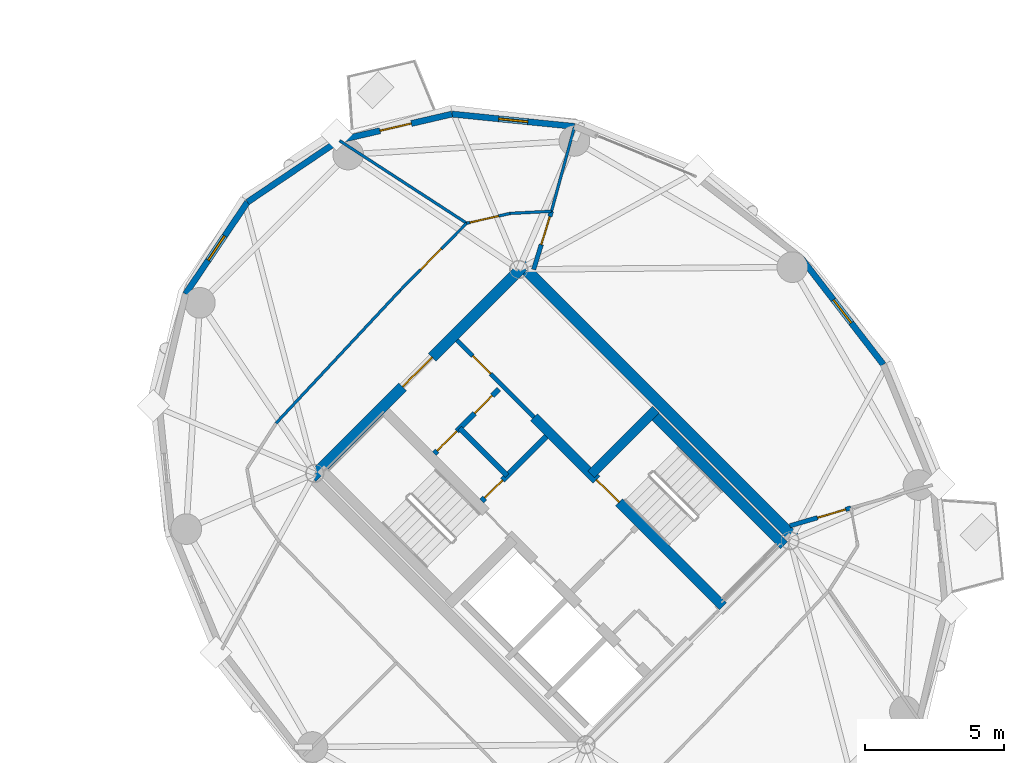
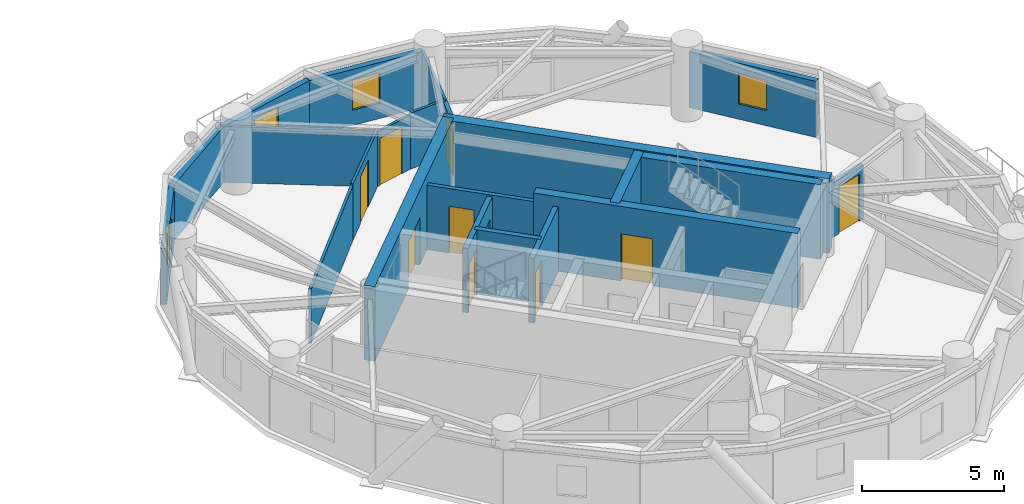
# One storey, part 11 of 15: 22 walls, 11 doors, 3 windows, 14 openings.
"""IFC4 building model written with IfcOpenShell, lengths in metres."""

from ifc_helpers import new_model, si_unit, direction, frame, frame_2d, origin, place, context, subcontext, project, spatial, rectangle, extrude, source, transform, mapped, material, layer, layer_set, type_object, element, fill, save


model = new_model("IFC4")

# Units and contexts
model_context = context("Model", 3, precision=1e-05, world=origin(), true_north=direction((0.0, 1.0)))
body_context = subcontext(model_context, "Body", "Model", "MODEL_VIEW")
ifc_project = project(units=[si_unit("LENGTHUNIT", "METRE"), si_unit("AREAUNIT", "SQUARE_METRE"), si_unit("VOLUMEUNIT", "CUBIC_METRE"), si_unit("PLANEANGLEUNIT", "RADIAN"), si_unit("MASSUNIT", "GRAM", prefix="KILO")], contexts=[model_context])

# Site, building, storey
site_placement = place(None, origin())
site = spatial("IfcSite", under=ifc_project, at=site_placement, CompositionType="ELEMENT")
building_placement = place(site_placement, origin())
building = spatial("IfcBuilding", under=site, at=building_placement, Name="Cununo Teusaquillo Station Towers", CompositionType="ELEMENT")
storey_placement = place(building_placement, frame((0.0, 0.0, 232.449951171875)))
storey = spatial("IfcBuildingStorey", under=building, at=storey_placement, Name="L74", CompositionType="ELEMENT", Elevation=232.449951171875)

# Wall, opening, door
ifc_material_1 = material(Name="Concrete C50/60", Category="concrete")
ifc_layer_1 = layer(ifc_material_1, 0.35009765625)
ifc_layer_set_1 = layer_set([ifc_layer_1], Name="Concrete C50/60")
wall_type_1 = type_object("IfcWallType", Name="WL-CORE-350", PredefinedType="SHEAR", material=ifc_layer_set_1)
wall_1_placement = place(storey_placement, frame((63.627197265625, 20.939697265625, 0.0), z_axis=(0.0, 0.0, 1.0), x_axis=(-0.707119496762, 0.707094065383, 0.0)))
wall_1 = element("IfcWall", 1, at=wall_1_placement, inside=storey, type_object=wall_type_1, Name="L74 Tower B Core Shear Wall IE", PredefinedType="SHEAR", context=body_context, shape_type="SweptSolid", body=[
    extrude(rectangle(XDim=9.60009765625, YDim=0.35009765625, at=frame_2d((4.800048828125, 0.0))), origin(), (0.0, 0.0, 1.0), 3.199951171875),
])
shared_shape_1 = source(origin(), body_context, "Body", "SweptSolid", [
    extrude(rectangle(XDim=1.14990234375, YDim=2.02001953125, at=frame_2d((0.574951171875, 1.010009765625))), frame((0.0, 0.18505859375, 0.0), z_axis=(0.0, -1.0, 0.0), x_axis=(1.0, 0.0, 0.0)), (0.0, 0.0, 1.0), 0.3701171875),
])
opening_1_placement = place(wall_1_placement, frame((5.280029296875, 0.0, 0.0)))
opening_1 = element("IfcOpeningElement", 2, at=opening_1_placement, cuts=wall_1, Name="Opening D-ST1", PredefinedType="OPENING", context=body_context, shape_type="MappedRepresentation", body=[
    mapped(shared_shape_1, transform((0.0, 0.0, 0.0), x_axis=(1.0, 0.0, 0.0), y_axis=(0.0, 1.0, 0.0), z_axis=(0.0, 0.0, 1.0), scale=1.0)),
])
ifc_material_2 = material(Name="Galvanised fire-rated hollow steel door assembly", Category="steel")
door_type_1 = type_object("IfcDoorType", Name="DR-STAIR-1150", OperationType="NOTDEFINED", PredefinedType="DOOR", material=ifc_material_2)
shared_shape_2 = source(origin(), body_context, "Body", "SweptSolid", [
    extrude(rectangle(XDim=1.14990234375, YDim=2.02001953125, at=frame_2d((0.574951171875, 1.010009765625))), frame((0.0, 0.02490234375, 0.0), z_axis=(0.0, -1.0, 0.0), x_axis=(1.0, 0.0, 0.0)), (0.0, 0.0, 1.0), 0.050048828125),
])
door_1_placement = place(opening_1_placement, origin())
door_1 = element("IfcDoor", 3, at=door_1_placement, inside=storey, type_object=door_type_1, Name="L74 Tower B Exit Stair 2 Fire Door", OperationType="SINGLE_SWING_LEFT", OverallHeight=2.02001953125, OverallWidth=1.14990234375, PredefinedType="DOOR", context=body_context, shape_type="MappedRepresentation", body=[
    mapped(shared_shape_2, transform((0.0, 0.0, 0.0), x_axis=(1.0, 0.0, 0.0), y_axis=(0.0, 1.0, 0.0), z_axis=(0.0, 0.0, 1.0), scale=1.0)),
])
fill(opening_1, door_1)

# Walls
wall_2_placement = place(storey_placement, frame((65.81201171875, 23.124755859375, 0.0), z_axis=(0.0, 0.0, 1.0), x_axis=(-0.707106781187, 0.707106781187, 0.0)))
element("IfcWall", 4, at=wall_2_placement, inside=storey, type_object=wall_type_1, Name="L74 Tower B Core Shear Wall ST2E", PredefinedType="SHEAR", context=body_context, shape_type="SweptSolid", body=[
    extrude(rectangle(XDim=6.695068359375, YDim=0.35009765625, at=frame_2d((3.34765625, 0.0))), origin(), (0.0, 0.0, 1.0), 3.199951171875),
])
wall_3_placement = place(storey_placement, frame((58.89306640625, 25.673828125, 0.0), z_axis=(0.0, 0.0, 1.0), x_axis=(0.707106781187, 0.707106781187, 0.0)))
element("IfcWall", 5, at=wall_3_placement, inside=storey, type_object=wall_type_1, Name="L74 Tower B Core Shear Wall ST2N", PredefinedType="SHEAR", context=body_context, shape_type="SweptSolid", body=[
    extrude(rectangle(XDim=3.284912109375, YDim=0.35009765625, at=frame_2d((1.642578125, 0.0))), origin(), (0.0, 0.0, 1.0), 3.199951171875),
])
ifc_material_3 = material(Name="Concrete C50/60", Category="concrete")
ifc_layer_2 = layer(ifc_material_3, 0.39990234375)
ifc_layer_set_2 = layer_set([ifc_layer_2], Name="Concrete C50/60")
wall_type_2 = type_object("IfcWallType", Name="WL-CORE-400", PredefinedType="SHEAR", material=ifc_layer_set_2)
wall_4_placement = place(storey_placement, frame((66.26806640625, 23.2978515625, 0.0), z_axis=(0.0, 0.0, 1.0), x_axis=(-0.707106781187, 0.707106781187, 0.0)))
element("IfcWall", 6, at=wall_4_placement, inside=storey, type_object=wall_type_2, Name="L74 Tower B Core Shear Wall E", PredefinedType="SHEAR", context=body_context, shape_type="SweptSolid", body=[
    extrude(rectangle(XDim=14.10009765625, YDim=0.39990234375, at=frame_2d((7.050048828125, 0.0))), origin(), (0.0, 0.0, 1.0), 3.199951171875),
])

# Wall, opening, door
wall_5_placement = place(storey_placement, frame((48.873291015625, 25.560791015625, 0.0), z_axis=(0.0, 0.0, 1.0), x_axis=(0.707106781187, 0.707106781187, 0.0)))
wall_5 = element("IfcWall", 7, at=wall_5_placement, inside=storey, type_object=wall_type_2, Name="L74 Tower B Core Shear Wall N", PredefinedType="SHEAR", context=body_context, shape_type="SweptSolid", body=[
    extrude(rectangle(XDim=10.69970703125, YDim=0.39990234375, at=frame_2d((5.349853515625, 0.0))), origin(), (0.0, 0.0, 1.0), 3.199951171875),
])
shared_shape_3 = source(origin(), body_context, "Body", "SweptSolid", [
    extrude(rectangle(XDim=1.5, YDim=2.02001953125, at=frame_2d((0.75, 1.010009765625))), frame((0.0, 0.2099609375, 0.0), z_axis=(0.0, -1.0, 0.0), x_axis=(1.0, 0.0, 0.0)), (0.0, 0.0, 1.0), 0.419921875),
])
opening_2_placement = place(wall_5_placement, frame((4.60009765625, 0.0, 0.0)))
opening_2 = element("IfcOpeningElement", 8, at=opening_2_placement, cuts=wall_5, Name="Opening D-LB1", PredefinedType="OPENING", context=body_context, shape_type="MappedRepresentation", body=[
    mapped(shared_shape_3, transform((0.0, 0.0, 0.0), x_axis=(1.0, 0.0, 0.0), y_axis=(0.0, 1.0, 0.0), z_axis=(0.0, 0.0, 1.0), scale=1.0)),
])
ifc_material_4 = material(Name="Galvanised fire-rated hollow steel door assembly", Category="steel")
door_type_2 = type_object("IfcDoorType", Name="DR-LOBBY-1500", OperationType="DOUBLE_DOOR_SINGLE_SWING", PredefinedType="DOOR", material=ifc_material_4)
shared_shape_4 = source(origin(), body_context, "Body", "SweptSolid", [
    extrude(rectangle(XDim=1.5, YDim=2.02001953125, at=frame_2d((0.75, 1.010009765625))), frame((0.0, 0.02490234375, 0.0), z_axis=(0.0, -1.0, 0.0), x_axis=(1.0, 0.0, 0.0)), (0.0, 0.0, 1.0), 0.050048828125),
])
door_2_placement = place(opening_2_placement, origin())
door_2 = element("IfcDoor", 9, at=door_2_placement, inside=storey, type_object=door_type_2, Name="L74 Tower B North Core Lift Lobby Door", OperationType="DOUBLE_DOOR_SINGLE_SWING", OverallHeight=2.02001953125, OverallWidth=1.5, PredefinedType="DOOR", context=body_context, shape_type="MappedRepresentation", body=[
    mapped(shared_shape_4, transform((0.0, 0.0, 0.0), x_axis=(1.0, 0.0, 0.0), y_axis=(0.0, 1.0, 0.0), z_axis=(0.0, 0.0, 1.0), scale=1.0)),
])
fill(opening_2, door_2)

# Wall, opening, window
ifc_material_5 = material(Name="Precast concrete C40/50", Category="concrete")
ifc_layer_3 = layer(ifc_material_5, 0.219970703125)
ifc_layer_set_3 = layer_set([ifc_layer_3], Name="Precast concrete C40/50")
wall_type_3 = type_object("IfcWallType", Name="WL-EXT-220", PredefinedType="SOLIDWALL", material=ifc_layer_set_3)
wall_6_placement = place(storey_placement, frame((53.899658203125, 38.59912109375, 0.0), z_axis=(0.0, 0.0, 1.0), x_axis=(0.994929930991, -0.100570534541, 0.0)))
wall_6 = element("IfcWall", 10, at=wall_6_placement, inside=storey, type_object=wall_type_3, Name="L74 Tower B Exterior Facade Wall C02", PredefinedType="SOLIDWALL", context=body_context, shape_type="SweptSolid", body=[
    extrude(rectangle(XDim=4.418212890625, YDim=0.219970703125, at=frame_2d((2.208984375, 0.0))), origin(), (0.0, 0.0, 1.0), 2.402099609375),
])
shared_shape_5 = source(origin(), body_context, "Body", "SweptSolid", [
    extrude(rectangle(XDim=1.050048828125, YDim=1.300048828125, at=frame_2d((0.52490234375, 0.64990234375))), frame((0.0, 0.119873046875, 0.0), z_axis=(0.0, -1.0, 0.0), x_axis=(1.0, 0.0, 0.0)), (0.0, 0.0, 1.0), 0.239990234375),
])
opening_3_placement = place(wall_6_placement, frame((1.68408203125, 0.0, 0.64990234375)))
opening_3 = element("IfcOpeningElement", 11, at=opening_3_placement, cuts=wall_6, Name="Opening WN-04", PredefinedType="OPENING", context=body_context, shape_type="MappedRepresentation", body=[
    mapped(shared_shape_5, transform((0.0, 0.0, 0.0), x_axis=(1.0, 0.0, 0.0), y_axis=(0.0, 1.0, 0.0), z_axis=(0.0, 0.0, 1.0), scale=1.0)),
])
ifc_material_6 = material(Name="Operable acoustic tinted low-E double glazing", Category="glass")
window_type = type_object("IfcWindowType", Name="WIN-BAL-1050", PartitioningType="SINGLE_PANEL", PredefinedType="WINDOW", material=ifc_material_6)
shared_shape_6 = source(origin(), body_context, "Body", "SweptSolid", [
    extrude(rectangle(XDim=1.050048828125, YDim=1.300048828125, at=frame_2d((0.52490234375, 0.64990234375))), frame((0.0, 0.030029296875, 0.0), z_axis=(0.0, -1.0, 0.0), x_axis=(1.0, 0.0, 0.0)), (0.0, 0.0, 1.0), 0.06005859375),
])
window_1_placement = place(opening_3_placement, origin())
window_1 = element("IfcWindow", 12, at=window_1_placement, inside=storey, type_object=window_type, Name="L74 Tower B Facade Window C02", OverallHeight=1.300048828125, OverallWidth=1.050048828125, PartitioningType="SINGLE_PANEL", PredefinedType="WINDOW", context=body_context, shape_type="MappedRepresentation", body=[
    mapped(shared_shape_6, transform((0.0, 0.0, 0.0), x_axis=(1.0, 0.0, 0.0), y_axis=(0.0, 1.0, 0.0), z_axis=(0.0, 0.0, 1.0), scale=1.0)),
])
fill(opening_3, window_1)

# Wall, opening, door
wall_7_placement = place(storey_placement, frame((49.856201171875, 37.663330078125, 0.0), z_axis=(0.0, 0.0, 1.0), x_axis=(0.974249228678, 0.225473813158, 0.0)))
wall_7 = element("IfcWall", 13, at=wall_7_placement, inside=storey, type_object=wall_type_3, Name="L74 Tower B Exterior Facade Wall C03", PredefinedType="SOLIDWALL", context=body_context, shape_type="SweptSolid", body=[
    extrude(rectangle(XDim=4.150390625, YDim=0.219970703125, at=frame_2d((2.0751953125, 0.0))), origin(), (0.0, 0.0, 1.0), 2.402099609375),
])
shared_shape_7 = source(origin(), body_context, "Body", "SweptSolid", [
    extrude(rectangle(XDim=1.14990234375, YDim=2.0048828125, at=frame_2d((0.574951171875, 1.00244140625))), frame((0.0, 0.119873046875, 0.0), z_axis=(0.0, -1.0, 0.0), x_axis=(1.0, 0.0, 0.0)), (0.0, 0.0, 1.0), 0.239990234375),
])
opening_4_placement = place(wall_7_placement, frame((1.5, 0.0, 0.0)))
opening_4 = element("IfcOpeningElement", 14, at=opening_4_placement, cuts=wall_7, Name="Opening ED-03", PredefinedType="OPENING", context=body_context, shape_type="MappedRepresentation", body=[
    mapped(shared_shape_7, transform((0.0, 0.0, 0.0), x_axis=(1.0, 0.0, 0.0), y_axis=(0.0, 1.0, 0.0), z_axis=(0.0, 0.0, 1.0), scale=1.0)),
])
ifc_material_7 = material(Name="Anodised dark bronze aluminium EN AW-6063-T6", Category="aluminium")
door_type_3 = type_object("IfcDoorType", Name="DR-EXT-BAL", OperationType="NOTDEFINED", PredefinedType="DOOR", material=ifc_material_7)
shared_shape_8 = source(origin(), body_context, "Body", "SweptSolid", [
    extrude(rectangle(XDim=1.14990234375, YDim=2.0048828125, at=frame_2d((0.574951171875, 1.00244140625))), frame((0.0, 0.02490234375, 0.0), z_axis=(0.0, -1.0, 0.0), x_axis=(1.0, 0.0, 0.0)), (0.0, 0.0, 1.0), 0.050048828125),
])
door_3_placement = place(opening_4_placement, origin())
door_3 = element("IfcDoor", 15, at=door_3_placement, inside=storey, type_object=door_type_3, Name="L74 Tower B Tree Balcony Door C03", OperationType="SINGLE_SWING_LEFT", OverallHeight=2.0048828125, OverallWidth=1.14990234375, PredefinedType="DOOR", context=body_context, shape_type="MappedRepresentation", body=[
    mapped(shared_shape_8, transform((0.0, 0.0, 0.0), x_axis=(1.0, 0.0, 0.0), y_axis=(0.0, 1.0, 0.0), z_axis=(0.0, 0.0, 1.0), scale=1.0)),
])
fill(opening_4, door_3)

# Wall
wall_8_placement = place(storey_placement, frame((46.56103515625, 35.43896484375, 0.0), z_axis=(0.0, 0.0, 1.0), x_axis=(0.828833723692, 0.559495003079, 0.0)))
element("IfcWall", 16, at=wall_8_placement, inside=storey, type_object=wall_type_3, Name="L74 Tower B Exterior Facade Wall C04", PredefinedType="SOLIDWALL", context=body_context, shape_type="SweptSolid", body=[
    extrude(rectangle(XDim=3.9755859375, YDim=0.219970703125, at=frame_2d((1.98779296875, 0.0))), origin(), (0.0, 0.0, 1.0), 2.402099609375),
])

# Wall, opening, window
wall_9_placement = place(storey_placement, frame((44.336669921875, 32.143798828125, 0.0), z_axis=(0.0, 0.0, 1.0), x_axis=(0.559495003079, 0.828833723692, 0.0)))
wall_9 = element("IfcWall", 17, at=wall_9_placement, inside=storey, type_object=wall_type_3, Name="L74 Tower B Exterior Facade Wall C05", PredefinedType="SOLIDWALL", context=body_context, shape_type="SweptSolid", body=[
    extrude(rectangle(XDim=3.9755859375, YDim=0.219970703125, at=frame_2d((1.98779296875, 0.0))), origin(), (0.0, 0.0, 1.0), 2.402099609375),
])
opening_5_placement = place(wall_9_placement, frame((1.462890625, 0.0, 0.64990234375)))
opening_5 = element("IfcOpeningElement", 18, at=opening_5_placement, cuts=wall_9, Name="Opening WN-04", PredefinedType="OPENING", context=body_context, shape_type="MappedRepresentation", body=[
    mapped(shared_shape_5, transform((0.0, 0.0, 0.0), x_axis=(1.0, 0.0, 0.0), y_axis=(0.0, 1.0, 0.0), z_axis=(0.0, 0.0, 1.0), scale=1.0)),
])
window_2_placement = place(opening_5_placement, origin())
window_2 = element("IfcWindow", 19, at=window_2_placement, inside=storey, type_object=window_type, Name="L74 Tower B Facade Window C05", OverallHeight=1.300048828125, OverallWidth=1.050048828125, PartitioningType="SINGLE_PANEL", PredefinedType="WINDOW", context=body_context, shape_type="MappedRepresentation", body=[
    mapped(shared_shape_6, transform((0.0, 0.0, 0.0), x_axis=(1.0, 0.0, 0.0), y_axis=(0.0, 1.0, 0.0), z_axis=(0.0, 0.0, 1.0), scale=1.0)),
])
fill(opening_5, window_2)

wall_10_placement = place(storey_placement, frame((66.430908203125, 33.430908203125, 0.0), z_axis=(0.0, 0.0, 1.0), x_axis=(0.610523083886, -0.791998462147, 0.0)))
wall_10 = element("IfcWall", 20, at=wall_10_placement, inside=storey, type_object=wall_type_3, Name="L74 Tower B Exterior Facade Wall C19", PredefinedType="SOLIDWALL", context=body_context, shape_type="SweptSolid", body=[
    extrude(rectangle(XDim=4.8203125, YDim=0.219970703125, at=frame_2d((2.41015625, 0.0))), origin(), (0.0, 0.0, 1.0), 2.402099609375),
])
opening_6_placement = place(wall_10_placement, frame((1.885009765625, 0.0, 0.64990234375)))
opening_6 = element("IfcOpeningElement", 21, at=opening_6_placement, cuts=wall_10, Name="Opening WN-04", PredefinedType="OPENING", context=body_context, shape_type="MappedRepresentation", body=[
    mapped(shared_shape_5, transform((0.0, 0.0, 0.0), x_axis=(1.0, 0.0, 0.0), y_axis=(0.0, 1.0, 0.0), z_axis=(0.0, 0.0, 1.0), scale=1.0)),
])
window_3_placement = place(opening_6_placement, origin())
window_3 = element("IfcWindow", 22, at=window_3_placement, inside=storey, type_object=window_type, Name="L74 Tower B Facade Window C19", OverallHeight=1.300048828125, OverallWidth=1.050048828125, PartitioningType="SINGLE_PANEL", PredefinedType="WINDOW", context=body_context, shape_type="MappedRepresentation", body=[
    mapped(shared_shape_6, transform((0.0, 0.0, 0.0), x_axis=(1.0, 0.0, 0.0), y_axis=(0.0, 1.0, 0.0), z_axis=(0.0, 0.0, 1.0), scale=1.0)),
])
fill(opening_6, window_3)

# Wall
ifc_material_8 = material(Name="Fire-rated gypsum plasterboard partition assembly", Category="gypsum")
ifc_layer_4 = layer(ifc_material_8, 0.10009765625)
ifc_layer_set_4 = layer_set([ifc_layer_4], Name="Fire-rated gypsum plasterboard partition assembly")
wall_type_4 = type_object("IfcWallType", Name="WL-PART-100", PredefinedType="MOVABLE", material=ifc_layer_set_4)
wall_11_placement = place(storey_placement, frame((57.466796875, 35.111328125, 0.0), z_axis=(0.0, 0.0, 1.0), x_axis=(-0.998691757323, -0.051134859488, 0.0)))
element("IfcWall", 23, at=wall_11_placement, inside=storey, type_object=wall_type_4, Name="L74 Tower B Corridor Ring Wall C02", PredefinedType="MOVABLE", context=body_context, shape_type="SweptSolid", body=[
    extrude(rectangle(XDim=1.48486328125, YDim=0.10009765625, at=frame_2d((0.742431640625, 0.0))), origin(), (0.0, 0.0, 1.0), 2.402099609375),
])

# Wall, opening, door
wall_12_placement = place(storey_placement, frame((55.98388671875, 35.035400390625, 0.0), z_axis=(0.0, 0.0, 1.0), x_axis=(-0.975290305708, -0.22092718165, 0.0)))
wall_12 = element("IfcWall", 24, at=wall_12_placement, inside=storey, type_object=wall_type_4, Name="L74 Tower B Corridor Ring Wall C03", PredefinedType="MOVABLE", context=body_context, shape_type="SweptSolid", body=[
    extrude(rectangle(XDim=1.596923828125, YDim=0.10009765625, at=frame_2d((0.79833984375, 0.0))), origin(), (0.0, 0.0, 1.0), 2.3349609375),
])
shared_shape_9 = source(origin(), body_context, "Body", "SweptSolid", [
    extrude(rectangle(XDim=1.050048828125, YDim=2.014892578125, at=frame_2d((0.52490234375, 1.00732421875))), frame((0.0, 0.06005859375, 0.0), z_axis=(0.0, -1.0, 0.0), x_axis=(1.0, 0.0, 0.0)), (0.0, 0.0, 1.0), 0.1201171875),
])
opening_7_placement = place(wall_12_placement, frame((0.4267578125, 0.0, 0.0)))
opening_7 = element("IfcOpeningElement", 25, at=opening_7_placement, cuts=wall_12, Name="Opening D-SU1", PredefinedType="OPENING", context=body_context, shape_type="MappedRepresentation", body=[
    mapped(shared_shape_9, transform((0.0, 0.0, 0.0), x_axis=(1.0, 0.0, 0.0), y_axis=(0.0, 1.0, 0.0), z_axis=(0.0, 0.0, 1.0), scale=1.0)),
])
ifc_material_9 = material(Name="Acoustic solid-core hardwood leaf assembly", Category="wood")
door_type_4 = type_object("IfcDoorType", Name="DR-SUITE-1050", OperationType="NOTDEFINED", PredefinedType="DOOR", material=ifc_material_9)
shared_shape_10 = source(origin(), body_context, "Body", "SweptSolid", [
    extrude(rectangle(XDim=1.050048828125, YDim=2.014892578125, at=frame_2d((0.52490234375, 1.00732421875))), frame((0.0, 0.02490234375, 0.0), z_axis=(0.0, -1.0, 0.0), x_axis=(1.0, 0.0, 0.0)), (0.0, 0.0, 1.0), 0.050048828125),
])
door_4_placement = place(opening_7_placement, origin())
door_4 = element("IfcDoor", 26, at=door_4_placement, inside=storey, type_object=door_type_4, Name="L74 Tower B Observatory Ticket & Audio Desk Entrance Door", OperationType="SINGLE_SWING_LEFT", OverallHeight=2.014892578125, OverallWidth=1.050048828125, PredefinedType="DOOR", context=body_context, shape_type="MappedRepresentation", body=[
    mapped(shared_shape_10, transform((0.0, 0.0, 0.0), x_axis=(1.0, 0.0, 0.0), y_axis=(0.0, 1.0, 0.0), z_axis=(0.0, 0.0, 1.0), scale=1.0)),
])
fill(opening_7, door_4)

wall_13_placement = place(storey_placement, frame((54.426513671875, 34.6826171875, 0.0), z_axis=(0.0, 0.0, 1.0), x_axis=(-0.704178989986, -0.710022499687, 0.0)))
wall_13 = element("IfcWall", 27, at=wall_13_placement, inside=storey, type_object=wall_type_4, Name="L74 Tower B Corridor Ring Wall C04", PredefinedType="MOVABLE", context=body_context, shape_type="SweptSolid", body=[
    extrude(rectangle(XDim=3.38427734375, YDim=0.10009765625, at=frame_2d((1.692138671875, 0.0))), origin(), (0.0, 0.0, 1.0), 2.402099609375),
])
opening_8_placement = place(wall_13_placement, frame((1.2978515625, 0.0, 0.0)))
opening_8 = element("IfcOpeningElement", 28, at=opening_8_placement, cuts=wall_13, Name="Opening D-SU1", PredefinedType="OPENING", context=body_context, shape_type="MappedRepresentation", body=[
    mapped(shared_shape_9, transform((0.0, 0.0, 0.0), x_axis=(1.0, 0.0, 0.0), y_axis=(0.0, 1.0, 0.0), z_axis=(0.0, 0.0, 1.0), scale=1.0)),
])
door_5_placement = place(opening_8_placement, origin())
door_5 = element("IfcDoor", 29, at=door_5_placement, inside=storey, type_object=door_type_4, Name="L74 Tower B North Bogota Sabana Viewing Gallery Entrance Door", OperationType="SINGLE_SWING_RIGHT", OverallHeight=2.014892578125, OverallWidth=1.050048828125, PredefinedType="DOOR", context=body_context, shape_type="MappedRepresentation", body=[
    mapped(shared_shape_10, transform((0.0, 0.0, 0.0), x_axis=(1.0, 0.0, 0.0), y_axis=(0.0, 1.0, 0.0), z_axis=(0.0, 0.0, 1.0), scale=1.0)),
])
fill(opening_8, door_5)

# Walls
wall_14_placement = place(storey_placement, frame((52.04345703125, 32.27978515625, 0.0), z_axis=(0.0, 0.0, 1.0), x_axis=(-0.682606081633, -0.730786519661, 0.0)))
element("IfcWall", 30, at=wall_14_placement, inside=storey, type_object=wall_type_4, Name="L74 Tower B Corridor Ring Wall C05", PredefinedType="MOVABLE", context=body_context, shape_type="SweptSolid", body=[
    extrude(rectangle(XDim=6.526611328125, YDim=0.10009765625, at=frame_2d((3.26318359375, 0.0))), origin(), (0.0, 0.0, 1.0), 2.3349609375),
])
wall_15_placement = place(storey_placement, frame((57.466796875, 35.111328125, 0.0), z_axis=(0.0, 0.0, 1.0), x_axis=(0.263354670488, 0.964699081337, 0.0)))
element("IfcWall", 31, at=wall_15_placement, inside=storey, type_object=wall_type_4, Name="L74 Tower B Radial Suite Partition R01", PredefinedType="MOVABLE", context=body_context, shape_type="SweptSolid", body=[
    extrude(rectangle(XDim=3.13427734375, YDim=0.10009765625, at=frame_2d((1.567138671875, 0.0))), origin(), (0.0, 0.0, 1.0), 2.402099609375),
])
wall_16_placement = place(storey_placement, frame((54.426513671875, 34.6826171875, 0.0), z_axis=(0.0, 0.0, 1.0), x_axis=(-0.83860663594, 0.544737469023, 0.0)))
element("IfcWall", 32, at=wall_16_placement, inside=storey, type_object=wall_type_4, Name="L74 Tower B Radial Suite Partition R02", PredefinedType="MOVABLE", context=body_context, shape_type="SweptSolid", body=[
    extrude(rectangle(XDim=5.439208984375, YDim=0.10009765625, at=frame_2d((2.7197265625, 0.0))), origin(), (0.0, 0.0, 1.0), 2.402099609375),
])

# Wall, opening, door
ifc_material_10 = material(Name="Fire-rated gypsum plasterboard partition assembly", Category="gypsum")
ifc_layer_5 = layer(ifc_material_10, 0.159912109375)
ifc_layer_set_5 = layer_set([ifc_layer_5], Name="Fire-rated gypsum plasterboard partition assembly")
wall_type_5 = type_object("IfcWallType", Name="WL-PART-160", PredefinedType="PARTITIONING", material=ifc_layer_set_5)
wall_17_placement = place(storey_placement, frame((56.8388671875, 27.727783203125, 0.0), z_axis=(0.0, 0.0, 1.0), x_axis=(-0.707106781187, 0.707106781187, 0.0)))
wall_17 = element("IfcWall", 33, at=wall_17_placement, inside=storey, type_object=wall_type_5, Name="L74 Tower B Reclaimed Core Bay Entry Wall", PredefinedType="PARTITIONING", context=body_context, shape_type="SweptSolid", body=[
    extrude(rectangle(XDim=3.900146484375, YDim=0.159912109375, at=frame_2d((1.9501953125, 0.0))), origin(), (0.0, 0.0, 1.0), 2.76513671875),
])
shared_shape_11 = source(origin(), body_context, "Body", "SweptSolid", [
    extrude(rectangle(XDim=0.89990234375, YDim=2.0048828125, at=frame_2d((0.449951171875, 1.00244140625))), frame((0.0, 0.08984375, 0.0), z_axis=(0.0, -1.0, 0.0), x_axis=(1.0, 0.0, 0.0)), (0.0, 0.0, 1.0), 0.179931640625),
])
opening_9_placement = place(wall_17_placement, frame((2.199951171875, 0.0, 0.0)))
opening_9 = element("IfcOpeningElement", 34, at=opening_9_placement, cuts=wall_17, Name="Opening D-IN1", PredefinedType="OPENING", context=body_context, shape_type="MappedRepresentation", body=[
    mapped(shared_shape_11, transform((0.0, 0.0, 0.0), x_axis=(1.0, 0.0, 0.0), y_axis=(0.0, 1.0, 0.0), z_axis=(0.0, 0.0, 1.0), scale=1.0)),
])
ifc_material_11 = material(Name="Acoustic solid-core hardwood leaf assembly", Category="wood")
door_type_5 = type_object("IfcDoorType", Name="DR-INT-900", OperationType="NOTDEFINED", PredefinedType="DOOR", material=ifc_material_11)
shared_shape_12 = source(origin(), body_context, "Body", "SweptSolid", [
    extrude(rectangle(XDim=0.89990234375, YDim=2.0048828125, at=frame_2d((0.449951171875, 1.00244140625))), frame((0.0, 0.02490234375, 0.0), z_axis=(0.0, -1.0, 0.0), x_axis=(1.0, 0.0, 0.0)), (0.0, 0.0, 1.0), 0.050048828125),
])
door_6_placement = place(opening_9_placement, origin())
door_6 = element("IfcDoor", 35, at=door_6_placement, inside=storey, type_object=door_type_5, Name="L74 Tower B Reclaimed Core Lounge Door", OperationType="SINGLE_SWING_RIGHT", OverallHeight=2.0048828125, OverallWidth=0.89990234375, PredefinedType="DOOR", context=body_context, shape_type="MappedRepresentation", body=[
    mapped(shared_shape_12, transform((0.0, 0.0, 0.0), x_axis=(1.0, 0.0, 0.0), y_axis=(0.0, 1.0, 0.0), z_axis=(0.0, 0.0, 1.0), scale=1.0)),
])
fill(opening_9, door_6)

wall_18_placement = place(storey_placement, frame((56.828125, 33.0205078125, 0.0), z_axis=(0.0, 0.0, 1.0), x_axis=(0.292139093972, 0.956375841274, 0.0)))
wall_18 = element("IfcWall", 36, at=wall_18_placement, inside=storey, type_object=wall_type_5, Name="L74 Tower B East Salon Corridor Portal Wall NE", PredefinedType="PARTITIONING", context=body_context, shape_type="SweptSolid", body=[
    extrude(rectangle(XDim=2.186279296875, YDim=0.159912109375, at=frame_2d((1.09326171875, 0.0))), origin(), (0.0, 0.0, 1.0), 2.3349609375),
])
shared_shape_13 = source(origin(), body_context, "Body", "SweptSolid", [
    extrude(rectangle(XDim=1.050048828125, YDim=2.014892578125, at=frame_2d((0.52490234375, 1.00732421875))), frame((0.0, 0.08984375, 0.0), z_axis=(0.0, -1.0, 0.0), x_axis=(1.0, 0.0, 0.0)), (0.0, 0.0, 1.0), 0.179931640625),
])
opening_10_placement = place(wall_18_placement, frame((0.93603515625, 0.0, 0.0)))
opening_10 = element("IfcOpeningElement", 37, at=opening_10_placement, cuts=wall_18, Name="Opening D-SU1", PredefinedType="OPENING", context=body_context, shape_type="MappedRepresentation", body=[
    mapped(shared_shape_13, transform((0.0, 0.0, 0.0), x_axis=(1.0, 0.0, 0.0), y_axis=(0.0, 1.0, 0.0), z_axis=(0.0, 0.0, 1.0), scale=1.0)),
])
door_7_placement = place(opening_10_placement, origin())
door_7 = element("IfcDoor", 38, at=door_7_placement, inside=storey, type_object=door_type_4, Name="L74 Tower B East Panorama Sky Salon Door NE", OperationType="SINGLE_SWING_LEFT", OverallHeight=2.014892578125, OverallWidth=1.050048828125, PredefinedType="DOOR", context=body_context, shape_type="MappedRepresentation", body=[
    mapped(shared_shape_10, transform((0.0, 0.0, 0.0), x_axis=(1.0, 0.0, 0.0), y_axis=(0.0, 1.0, 0.0), z_axis=(0.0, 0.0, 1.0), scale=1.0)),
])
fill(opening_10, door_7)

wall_19_placement = place(storey_placement, frame((66.0205078125, 23.828125, 0.0), z_axis=(0.0, 0.0, 1.0), x_axis=(0.959727558294, 0.280932400856, 0.0)))
wall_19 = element("IfcWall", 39, at=wall_19_placement, inside=storey, type_object=wall_type_5, Name="L74 Tower B East Salon Corridor Portal Wall SE", PredefinedType="PARTITIONING", context=body_context, shape_type="SweptSolid", body=[
    extrude(rectangle(XDim=2.281982421875, YDim=0.159912109375, at=frame_2d((1.14111328125, 0.0))), origin(), (0.0, 0.0, 1.0), 2.3349609375),
])
opening_11_placement = place(wall_19_placement, frame((1.031982421875, 0.0, 0.0)))
opening_11 = element("IfcOpeningElement", 40, at=opening_11_placement, cuts=wall_19, Name="Opening D-SU1", PredefinedType="OPENING", context=body_context, shape_type="MappedRepresentation", body=[
    mapped(shared_shape_13, transform((0.0, 0.0, 0.0), x_axis=(1.0, 0.0, 0.0), y_axis=(0.0, 1.0, 0.0), z_axis=(0.0, 0.0, 1.0), scale=1.0)),
])
door_8_placement = place(opening_11_placement, origin())
door_8 = element("IfcDoor", 41, at=door_8_placement, inside=storey, type_object=door_type_4, Name="L74 Tower B East Panorama Sky Salon Door SE", OperationType="SINGLE_SWING_RIGHT", OverallHeight=2.014892578125, OverallWidth=1.050048828125, PredefinedType="DOOR", context=body_context, shape_type="MappedRepresentation", body=[
    mapped(shared_shape_10, transform((0.0, 0.0, 0.0), x_axis=(1.0, 0.0, 0.0), y_axis=(0.0, 1.0, 0.0), z_axis=(0.0, 0.0, 1.0), scale=1.0)),
])
fill(opening_11, door_8)

ifc_material_12 = material(Name="Fire-rated gypsum plasterboard partition assembly", Category="gypsum")
ifc_layer_6 = layer(ifc_material_12, 0.199951171875)
ifc_layer_set_6 = layer_set([ifc_layer_6], Name="Fire-rated gypsum plasterboard partition assembly")
wall_type_6 = type_object("IfcWallType", Name="WL-PART-200", PredefinedType="PARTITIONING", material=ifc_layer_set_6)
wall_20_placement = place(storey_placement, frame((54.96142578125, 24.71923828125, 0.0), z_axis=(0.0, 0.0, 1.0), x_axis=(0.707106781187, 0.707106781187, 0.0)))
wall_20 = element("IfcWall", 42, at=wall_20_placement, inside=storey, type_object=wall_type_6, Name="L74 Tower B Firefighting Lift Lobby North Fire Wall", PredefinedType="PARTITIONING", context=body_context, shape_type="SweptSolid", body=[
    extrude(rectangle(XDim=3.280029296875, YDim=0.199951171875, at=frame_2d((1.64013671875, 0.0))), origin(), (0.0, 0.0, 1.0), 2.76513671875),
])
shared_shape_14 = source(origin(), body_context, "Body", "SweptSolid", [
    extrude(rectangle(XDim=0.89990234375, YDim=2.0048828125, at=frame_2d((0.449951171875, 1.00244140625))), frame((0.0, 0.10986328125, 0.0), z_axis=(0.0, -1.0, 0.0), x_axis=(1.0, 0.0, 0.0)), (0.0, 0.0, 1.0), 0.219970703125),
])
opening_12_placement = place(wall_20_placement, frame((0.159912109375, 0.0, 0.0)))
opening_12 = element("IfcOpeningElement", 43, at=opening_12_placement, cuts=wall_20, Name="Opening D-SR1", PredefinedType="OPENING", context=body_context, shape_type="MappedRepresentation", body=[
    mapped(shared_shape_14, transform((0.0, 0.0, 0.0), x_axis=(1.0, 0.0, 0.0), y_axis=(0.0, 1.0, 0.0), z_axis=(0.0, 0.0, 1.0), scale=1.0)),
])
ifc_material_13 = material(Name="Galvanised fire-rated hollow steel door assembly", Category="steel")
door_type_6 = type_object("IfcDoorType", Name="DR-STORE-900", OperationType="NOTDEFINED", PredefinedType="DOOR", material=ifc_material_13)
door_9_placement = place(opening_12_placement, origin())
door_9 = element("IfcDoor", 44, at=door_9_placement, inside=storey, type_object=door_type_6, Name="L74 Tower B Stair 1 Protected Vestibule South Door", OperationType="SINGLE_SWING_RIGHT", OverallHeight=2.0048828125, OverallWidth=0.89990234375, PredefinedType="DOOR", context=body_context, shape_type="MappedRepresentation", body=[
    mapped(shared_shape_12, transform((0.0, 0.0, 0.0), x_axis=(1.0, 0.0, 0.0), y_axis=(0.0, 1.0, 0.0), z_axis=(0.0, 0.0, 1.0), scale=1.0)),
])
fill(opening_12, door_9)

# Wall
wall_21_placement = place(storey_placement, frame((55.873779296875, 25.63134765625, 0.0), z_axis=(0.0, 0.0, 1.0), x_axis=(-0.707157639372, 0.707055919343, 0.0)))
element("IfcWall", 45, at=wall_21_placement, inside=storey, type_object=wall_type_6, Name="L74 Tower B Stair 1 Vestibule Partition Wall", PredefinedType="PARTITIONING", context=body_context, shape_type="SweptSolid", body=[
    extrude(rectangle(XDim=2.400146484375, YDim=0.199951171875, at=frame_2d((1.2001953125, 0.0))), origin(), (0.0, 0.0, 1.0), 2.76513671875),
])

# Wall, openings, doors
wall_22_placement = place(storey_placement, frame((53.264404296875, 26.416259765625, 0.0), z_axis=(0.0, 0.0, 1.0), x_axis=(0.707106781187, 0.707106781187, 0.0)))
wall_22 = element("IfcWall", 46, at=wall_22_placement, inside=storey, type_object=wall_type_6, Name="L74 Tower B North Lift Lobby South Fire Wall", PredefinedType="PARTITIONING", context=body_context, shape_type="SweptSolid", body=[
    extrude(rectangle(XDim=3.280029296875, YDim=0.199951171875, at=frame_2d((1.64013671875, 0.0))), origin(), (0.0, 0.0, 1.0), 2.76513671875),
])
shared_shape_15 = source(origin(), body_context, "Body", "SweptSolid", [
    extrude(rectangle(XDim=1.0, YDim=2.014892578125, at=frame_2d((0.5, 1.00732421875))), frame((0.0, 0.10986328125, 0.0), z_axis=(0.0, -1.0, 0.0), x_axis=(1.0, 0.0, 0.0)), (0.0, 0.0, 1.0), 0.219970703125),
])
opening_13_placement = place(wall_22_placement, frame((0.139892578125, 0.0, 0.0)))
opening_13 = element("IfcOpeningElement", 47, at=opening_13_placement, cuts=wall_22, Name="Opening D-AC1", PredefinedType="OPENING", context=body_context, shape_type="MappedRepresentation", body=[
    mapped(shared_shape_15, transform((0.0, 0.0, 0.0), x_axis=(1.0, 0.0, 0.0), y_axis=(0.0, 1.0, 0.0), z_axis=(0.0, 0.0, 1.0), scale=1.0)),
])
opening_14_placement = place(wall_22_placement, frame((2.050048828125, 0.0, 0.0)))
opening_14 = element("IfcOpeningElement", 48, at=opening_14_placement, cuts=wall_22, Name="Opening D-SR1", PredefinedType="OPENING", context=body_context, shape_type="MappedRepresentation", body=[
    mapped(shared_shape_14, transform((0.0, 0.0, 0.0), x_axis=(1.0, 0.0, 0.0), y_axis=(0.0, 1.0, 0.0), z_axis=(0.0, 0.0, 1.0), scale=1.0)),
])
door_10_placement = place(opening_14_placement, origin())
door_10 = element("IfcDoor", 49, at=door_10_placement, inside=storey, type_object=door_type_6, Name="L74 Tower B Core Housekeeping & Linen Store Door", OperationType="SINGLE_SWING_LEFT", OverallHeight=2.0048828125, OverallWidth=0.89990234375, PredefinedType="DOOR", context=body_context, shape_type="MappedRepresentation", body=[
    mapped(shared_shape_12, transform((0.0, 0.0, 0.0), x_axis=(1.0, 0.0, 0.0), y_axis=(0.0, 1.0, 0.0), z_axis=(0.0, 0.0, 1.0), scale=1.0)),
])
fill(opening_14, door_10)
ifc_material_14 = material(Name="Acoustic solid-core hardwood leaf assembly", Category="wood")
door_type_7 = type_object("IfcDoorType", Name="DR-ACC-1000", OperationType="NOTDEFINED", PredefinedType="DOOR", material=ifc_material_14)
shared_shape_16 = source(origin(), body_context, "Body", "SweptSolid", [
    extrude(rectangle(XDim=1.0, YDim=2.014892578125, at=frame_2d((0.5, 1.00732421875))), frame((0.0, 0.02490234375, 0.0), z_axis=(0.0, -1.0, 0.0), x_axis=(1.0, 0.0, 0.0)), (0.0, 0.0, 1.0), 0.050048828125),
])
door_11_placement = place(opening_13_placement, origin())
door_11 = element("IfcDoor", 50, at=door_11_placement, inside=storey, type_object=door_type_7, Name="L74 Tower B North Lift Lobby to Stair 1 Vestibule Door", OperationType="SINGLE_SWING_LEFT", OverallHeight=2.014892578125, OverallWidth=1.0, PredefinedType="DOOR", context=body_context, shape_type="MappedRepresentation", body=[
    mapped(shared_shape_16, transform((0.0, 0.0, 0.0), x_axis=(1.0, 0.0, 0.0), y_axis=(0.0, 1.0, 0.0), z_axis=(0.0, 0.0, 1.0), scale=1.0)),
])
fill(opening_13, door_11)

save(model, "model.ifc")
